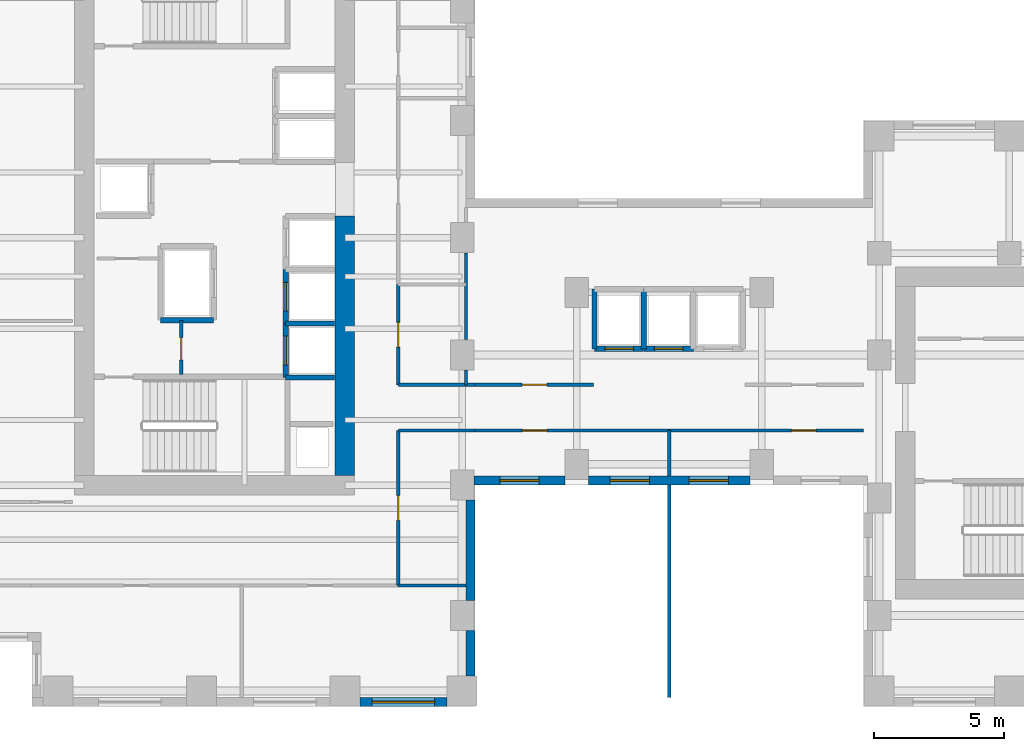
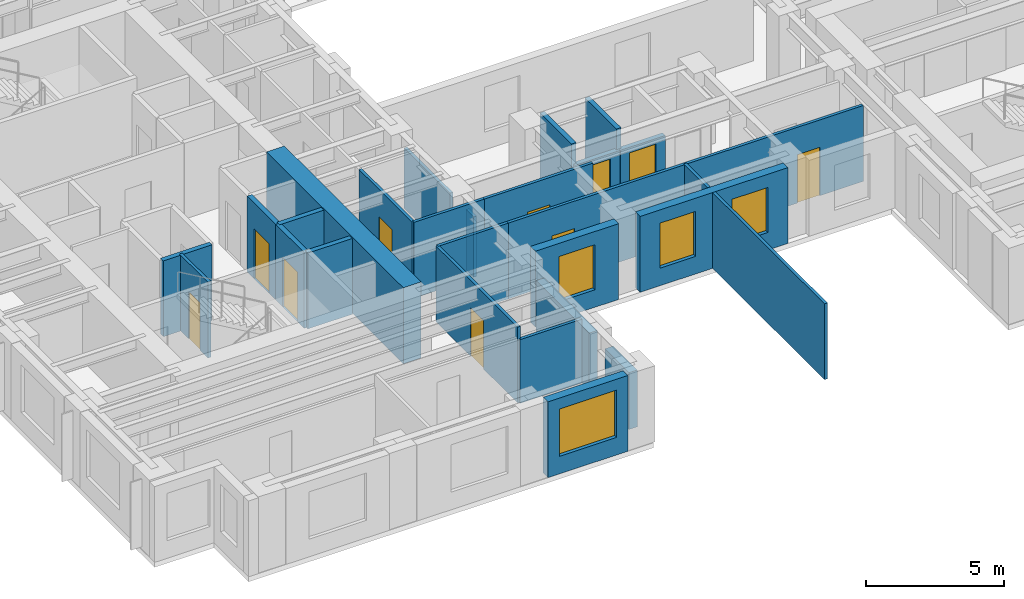
# One storey, part 4 of 11: 28 walls, 10 doors, 4 windows, 14 openings.
"""IFC4 building model written with IfcOpenShell, lengths in metres."""

from ifc_helpers import new_model, si_unit, direction, frame, frame_2d, origin, place, context, subcontext, project, spatial, rectangle, extrude, source, transform, mapped, material, layer, layer_set, type_object, element, fill, save


model = new_model("IFC4")

# Units and contexts
model_context = context("Model", 3, precision=1e-05, world=origin(), true_north=direction((0.0, 1.0)))
body_context = subcontext(model_context, "Body", "Model", "MODEL_VIEW")
ifc_project = project(units=[si_unit("LENGTHUNIT", "METRE"), si_unit("AREAUNIT", "SQUARE_METRE"), si_unit("VOLUMEUNIT", "CUBIC_METRE"), si_unit("PLANEANGLEUNIT", "RADIAN"), si_unit("MASSUNIT", "GRAM", prefix="KILO")], contexts=[model_context])

# Site, building, storey
site_placement = place(None, origin())
site = spatial("IfcSite", under=ifc_project, at=site_placement, CompositionType="ELEMENT")
building_placement = place(site_placement, origin())
building = spatial("IfcBuilding", under=site, at=building_placement, Name="Kharzan Plaza Tower", CompositionType="ELEMENT")
storey_placement = place(building_placement, frame((0.0, 0.0, 127.800048828125)))
storey = spatial("IfcBuildingStorey", under=building, at=storey_placement, Name="L34", CompositionType="ELEMENT", Elevation=127.800048828125)

# Wall, opening, window
ifc_material_1 = material(Name="Concrete C40/50", Category="concrete")
ifc_layer_1 = layer(ifc_material_1, 0.35009765625)
ifc_layer_set_1 = layer_set([ifc_layer_1], Name="Concrete C40/50")
wall_type_1 = type_object("IfcWallType", Name="WL-EXT-MAS-Z2", PredefinedType="SOLIDWALL", material=ifc_layer_set_1)
wall_1_placement = place(storey_placement, frame((15.072998046875, 0.175048828125, 0.0), z_axis=(0.0, 0.0, 1.0), x_axis=(1.0, 0.0, 0.0)))
wall_1 = element("IfcWall", 1, at=wall_1_placement, inside=storey, type_object=wall_type_1, Name="L34 Masonry-Frame Exterior Wall 31", PredefinedType="SOLIDWALL", context=body_context, shape_type="SweptSolid", body=[
    extrude(rectangle(XDim=3.35400390625, YDim=0.35009765625, at=frame_2d((1.677001953125, 0.0))), origin(), (0.0, 0.0, 1.0), 3.364990234375),
])
opening_1_placement = place(wall_1_placement, frame((0.47705078125, 0.0, 0.780029296875)))
opening_1 = element("IfcOpeningElement", 2, at=opening_1_placement, cuts=wall_1, Name="Opening W2", PredefinedType="OPENING", context=body_context, shape_type="SweptSolid", body=[
    extrude(rectangle(XDim=2.39990234375, YDim=2.10009765625, at=frame_2d((1.199951171875, 1.050048828125))), frame((0.0, 0.18505859375, 0.0), z_axis=(0.0, -1.0, 0.0), x_axis=(1.0, 0.0, 0.0)), (0.0, 0.0, 1.0), 0.3701171875),
])
ifc_material_2 = material(Name="Low-E Double Glazing", Category="glass")
window_type_1 = type_object("IfcWindowType", Name="WN-REC-2400x2100", PartitioningType="SINGLE_PANEL", PredefinedType="WINDOW", material=ifc_material_2)
shared_shape_1 = source(origin(), body_context, "Body", "SweptSolid", [
    extrude(rectangle(XDim=2.39990234375, YDim=2.10009765625, at=frame_2d((1.199951171875, 1.050048828125))), frame((0.0, 0.030029296875, 0.0), z_axis=(0.0, -1.0, 0.0), x_axis=(1.0, 0.0, 0.0)), (0.0, 0.0, 1.0), 0.06005859375),
])
window_1_placement = place(opening_1_placement, origin())
window_1 = element("IfcWindow", 3, at=window_1_placement, inside=storey, type_object=window_type_1, Name="L34 Wide Recessed Solar-Control Window 31-1", OverallHeight=2.10009765625, OverallWidth=2.39990234375, PartitioningType="SINGLE_PANEL", PredefinedType="WINDOW", context=body_context, shape_type="MappedRepresentation", body=[
    mapped(shared_shape_1, transform((0.0, 0.0, 0.0), x_axis=(1.0, 0.0, 0.0), y_axis=(0.0, 1.0, 0.0), z_axis=(0.0, 0.0, 1.0))),
])
fill(opening_1, window_1)

wall_2_placement = place(storey_placement, frame((19.447998046875, 8.675048828125, 0.0), z_axis=(0.0, 0.0, 1.0), x_axis=(1.0, 0.0, 0.0)))
wall_2 = element("IfcWall", 4, at=wall_2_placement, inside=storey, type_object=wall_type_1, Name="L34 Masonry-Frame Exterior Wall 34", PredefinedType="SOLIDWALL", context=body_context, shape_type="SweptSolid", body=[
    extrude(rectangle(XDim=3.50390625, YDim=0.35009765625, at=frame_2d((1.751953125, 0.0))), origin(), (0.0, 0.0, 1.0), 3.364990234375),
])
opening_2_placement = place(wall_2_placement, frame((1.001953125, 0.0, 0.780029296875)))
opening_2 = element("IfcOpeningElement", 5, at=opening_2_placement, cuts=wall_2, Name="Opening W5", PredefinedType="OPENING", context=body_context, shape_type="SweptSolid", body=[
    extrude(rectangle(XDim=1.5, YDim=2.0, at=frame_2d((0.75, 1.0))), frame((0.0, 0.18505859375, 0.0), z_axis=(0.0, -1.0, 0.0), x_axis=(1.0, 0.0, 0.0)), (0.0, 0.0, 1.0), 0.3701171875),
])
window_type_2 = type_object("IfcWindowType", Name="WN-SLT-1500x2000", PartitioningType="SINGLE_PANEL", PredefinedType="WINDOW", material=ifc_material_2)
shared_shape_2 = source(origin(), body_context, "Body", "SweptSolid", [
    extrude(rectangle(XDim=1.5, YDim=2.0, at=frame_2d((0.75, 1.0))), frame((0.0, 0.030029296875, 0.0), z_axis=(0.0, -1.0, 0.0), x_axis=(1.0, 0.0, 0.0)), (0.0, 0.0, 1.0), 0.06005859375),
])
window_2_placement = place(opening_2_placement, origin())
window_2 = element("IfcWindow", 6, at=window_2_placement, inside=storey, type_object=window_type_2, Name="L34 Recessed Solar-Control Window 34-1", OverallHeight=2.0, OverallWidth=1.5, PartitioningType="SINGLE_PANEL", PredefinedType="WINDOW", context=body_context, shape_type="MappedRepresentation", body=[
    mapped(shared_shape_2, transform((0.0, 0.0, 0.0), x_axis=(1.0, 0.0, 0.0), y_axis=(0.0, 1.0, 0.0), z_axis=(0.0, 0.0, 1.0))),
])
fill(opening_2, window_2)

# Wall, openings, windows
wall_3_placement = place(storey_placement, frame((23.847900390625, 8.675048828125, 0.0), z_axis=(0.0, 0.0, 1.0), x_axis=(1.0, 0.0, 0.0)))
wall_3 = element("IfcWall", 7, at=wall_3_placement, inside=storey, type_object=wall_type_1, Name="L34 Masonry-Frame Exterior Wall 35", PredefinedType="SOLIDWALL", context=body_context, shape_type="SweptSolid", body=[
    extrude(rectangle(XDim=6.2041015625, YDim=0.35009765625, at=frame_2d((3.10205078125, 0.0))), origin(), (0.0, 0.0, 1.0), 3.364990234375),
])
opening_3_placement = place(wall_3_placement, frame((0.8359375, 0.0, 0.780029296875)))
opening_3 = element("IfcOpeningElement", 8, at=opening_3_placement, cuts=wall_3, Name="Opening W5", PredefinedType="OPENING", context=body_context, shape_type="SweptSolid", body=[
    extrude(rectangle(XDim=1.5, YDim=2.0, at=frame_2d((0.75, 1.0))), frame((0.0, 0.18505859375, 0.0), z_axis=(0.0, -1.0, 0.0), x_axis=(1.0, 0.0, 0.0)), (0.0, 0.0, 1.0), 0.3701171875),
])
opening_4_placement = place(wall_3_placement, frame((3.867919921875, 0.0, 0.780029296875)))
opening_4 = element("IfcOpeningElement", 9, at=opening_4_placement, cuts=wall_3, Name="Opening W5", PredefinedType="OPENING", context=body_context, shape_type="SweptSolid", body=[
    extrude(rectangle(XDim=1.5, YDim=2.0, at=frame_2d((0.75, 1.0))), frame((0.0, 0.18505859375, 0.0), z_axis=(0.0, -1.0, 0.0), x_axis=(1.0, 0.0, 0.0)), (0.0, 0.0, 1.0), 0.3701171875),
])
window_3_placement = place(opening_3_placement, origin())
window_3 = element("IfcWindow", 10, at=window_3_placement, inside=storey, type_object=window_type_2, Name="L34 Recessed Solar-Control Window 35-1", OverallHeight=2.0, OverallWidth=1.5, PartitioningType="SINGLE_PANEL", PredefinedType="WINDOW", context=body_context, shape_type="MappedRepresentation", body=[
    mapped(shared_shape_2, transform((0.0, 0.0, 0.0), x_axis=(1.0, 0.0, 0.0), y_axis=(0.0, 1.0, 0.0), z_axis=(0.0, 0.0, 1.0))),
])
fill(opening_3, window_3)
window_4_placement = place(opening_4_placement, origin())
window_4 = element("IfcWindow", 11, at=window_4_placement, inside=storey, type_object=window_type_2, Name="L34 Recessed Solar-Control Window 35-2", OverallHeight=2.0, OverallWidth=1.5, PartitioningType="SINGLE_PANEL", PredefinedType="WINDOW", context=body_context, shape_type="MappedRepresentation", body=[
    mapped(shared_shape_2, transform((0.0, 0.0, 0.0), x_axis=(1.0, 0.0, 0.0), y_axis=(0.0, 1.0, 0.0), z_axis=(0.0, 0.0, 1.0))),
])
fill(opening_4, window_4)

# Wall, opening, door
ifc_material_3 = material(Name="Fire-Rated Gypsum Board Partition", Category="gypsum")
ifc_layer_2 = layer(ifc_material_3, 0.125)
ifc_layer_set_2 = layer_set([ifc_layer_2], Name="Fire-Rated Gypsum Board Partition")
wall_type_2 = type_object("IfcWallType", Name="WL-INT-PART-125", PredefinedType="PARTITIONING", material=ifc_layer_set_2)
wall_4_placement = place(storey_placement, frame((8.219970703125, 12.75, 0.0), z_axis=(0.0, 0.0, 1.0), x_axis=(0.0, 1.0, 0.0)))
wall_4 = element("IfcWall", 12, at=wall_4_placement, inside=storey, type_object=wall_type_2, Name="L34 Interior Partition CA-K1E", PredefinedType="PARTITIONING", context=body_context, shape_type="SweptSolid", body=[
    extrude(rectangle(XDim=2.070068359375, YDim=0.125, at=frame_2d((1.03515625, 0.0))), origin(), (0.0, 0.0, 1.0), 3.364990234375),
])
opening_5_placement = place(wall_4_placement, frame((0.56005859375, 0.0, 0.0)))
opening_5 = element("IfcOpeningElement", 13, at=opening_5_placement, cuts=wall_4, Name="Opening RD1", PredefinedType="OPENING", context=body_context, shape_type="SweptSolid", body=[
    extrude(rectangle(XDim=0.85009765625, YDim=2.10009765625, at=frame_2d((0.425048828125, 1.050048828125))), frame((0.0, 0.072509765625, 0.0), z_axis=(0.0, -1.0, 0.0), x_axis=(1.0, 0.0, 0.0)), (0.0, 0.0, 1.0), 0.14501953125),
])
ifc_material_4 = material(Name="Powder-Coated Fire-Rated Steel", Category="steel")
door_type_1 = type_object("IfcDoorType", Name="DR-RISER-900", OperationType="NOTDEFINED", PredefinedType="DOOR", material=ifc_material_4)
shared_shape_3 = source(origin(), body_context, "Body", "SweptSolid", [
    extrude(rectangle(XDim=0.85009765625, YDim=2.10009765625, at=frame_2d((0.425048828125, 1.050048828125))), frame((0.0, 0.02490234375, 0.0), z_axis=(0.0, -1.0, 0.0), x_axis=(1.0, 0.0, 0.0)), (0.0, 0.0, 1.0), 0.050048828125),
])
door_1_placement = place(opening_5_placement, origin())
door_1 = element("IfcDoor", 14, at=door_1_placement, inside=storey, type_object=door_type_1, Name="L34 Core Service Store Door", OperationType="SINGLE_SWING_RIGHT", OverallHeight=2.10009765625, OverallWidth=0.85009765625, PredefinedType="DOOR", context=body_context, shape_type="MappedRepresentation", body=[
    mapped(shared_shape_3, transform((0.0, 0.0, 0.0), x_axis=(1.0, 0.0, 0.0), y_axis=(0.0, 1.0, 0.0), z_axis=(0.0, 0.0, 1.0))),
])
fill(opening_5, door_1)

wall_5_placement = place(storey_placement, frame((16.550048828125, 12.35009765625, 0.0), z_axis=(0.0, 0.0, 1.0), x_axis=(0.0, 1.0, 0.0)))
wall_5 = element("IfcWall", 15, at=wall_5_placement, inside=storey, type_object=wall_type_2, Name="L34 Interior Partition SH-AEWN1", PredefinedType="PARTITIONING", context=body_context, shape_type="SweptSolid", body=[
    extrude(rectangle(XDim=3.849853515625, YDim=0.125, at=frame_2d((1.9248046875, 0.0))), origin(), (0.0, 0.0, 1.0), 3.364990234375),
])
opening_6_placement = place(wall_5_placement, frame((1.449951171875, 0.0, 0.0)))
opening_6 = element("IfcOpeningElement", 16, at=opening_6_placement, cuts=wall_5, Name="Opening OD1", PredefinedType="OPENING", context=body_context, shape_type="SweptSolid", body=[
    extrude(rectangle(XDim=0.949951171875, YDim=2.14990234375, at=frame_2d((0.47509765625, 1.074951171875))), frame((0.0, 0.072509765625, 0.0), z_axis=(0.0, -1.0, 0.0), x_axis=(1.0, 0.0, 0.0)), (0.0, 0.0, 1.0), 0.14501953125),
])
ifc_material_5 = material(Name="Acoustic Solid-Core Stained Oak", Category="timber")
door_type_2 = type_object("IfcDoorType", Name="DR-OFF-SINGLE", OperationType="NOTDEFINED", PredefinedType="DOOR", material=ifc_material_5)
shared_shape_4 = source(origin(), body_context, "Body", "SweptSolid", [
    extrude(rectangle(XDim=0.949951171875, YDim=2.14990234375, at=frame_2d((0.47509765625, 1.074951171875))), frame((0.0, 0.02490234375, 0.0), z_axis=(0.0, -1.0, 0.0), x_axis=(1.0, 0.0, 0.0)), (0.0, 0.0, 1.0), 0.050048828125),
])
door_2_placement = place(opening_6_placement, origin())
door_2 = element("IfcDoor", 17, at=door_2_placement, inside=storey, type_object=door_type_2, Name="L34 Slot Collaboration Door", OperationType="SINGLE_SWING_LEFT", OverallHeight=2.14990234375, OverallWidth=0.949951171875, PredefinedType="DOOR", context=body_context, shape_type="MappedRepresentation", body=[
    mapped(shared_shape_4, transform((0.0, 0.0, 0.0), x_axis=(1.0, 0.0, 0.0), y_axis=(0.0, 1.0, 0.0), z_axis=(0.0, 0.0, 1.0))),
])
fill(opening_6, door_2)

wall_6_placement = place(storey_placement, frame((16.550048828125, 4.64990234375, 0.0), z_axis=(0.0, 0.0, 1.0), x_axis=(0.0, 1.0, 0.0)))
wall_6 = element("IfcWall", 18, at=wall_6_placement, inside=storey, type_object=wall_type_2, Name="L34 Interior Partition SH-AEWS", PredefinedType="PARTITIONING", context=body_context, shape_type="SweptSolid", body=[
    extrude(rectangle(XDim=5.9501953125, YDim=0.125, at=frame_2d((2.97509765625, 0.0))), origin(), (0.0, 0.0, 1.0), 3.364990234375),
])
opening_7_placement = place(wall_6_placement, frame((2.5, 0.0, 0.0)))
opening_7 = element("IfcOpeningElement", 19, at=opening_7_placement, cuts=wall_6, Name="Opening OD1", PredefinedType="OPENING", context=body_context, shape_type="SweptSolid", body=[
    extrude(rectangle(XDim=0.949951171875, YDim=2.14990234375, at=frame_2d((0.47509765625, 1.074951171875))), frame((0.0, 0.072509765625, 0.0), z_axis=(0.0, -1.0, 0.0), x_axis=(1.0, 0.0, 0.0)), (0.0, 0.0, 1.0), 0.14501953125),
])
door_3_placement = place(opening_7_placement, origin())
door_3 = element("IfcDoor", 20, at=door_3_placement, inside=storey, type_object=door_type_2, Name="L34 Slot South Office Door", OperationType="SINGLE_SWING_RIGHT", OverallHeight=2.14990234375, OverallWidth=0.949951171875, PredefinedType="DOOR", context=body_context, shape_type="MappedRepresentation", body=[
    mapped(shared_shape_4, transform((0.0, 0.0, 0.0), x_axis=(1.0, 0.0, 0.0), y_axis=(0.0, 1.0, 0.0), z_axis=(0.0, 0.0, 1.0))),
])
fill(opening_7, door_3)

wall_7_placement = place(storey_placement, frame((19.5, 12.35009765625, 0.0), z_axis=(0.0, 0.0, 1.0), x_axis=(1.0, 0.0, 0.0)))
wall_7 = element("IfcWall", 21, at=wall_7_placement, inside=storey, type_object=wall_type_2, Name="L34 Interior Partition SH-SPNW1", PredefinedType="PARTITIONING", context=body_context, shape_type="SweptSolid", body=[
    extrude(rectangle(XDim=4.550048828125, YDim=0.125, at=frame_2d((2.27490234375, 0.0))), origin(), (0.0, 0.0, 1.0), 3.364990234375),
])
opening_8_placement = place(wall_7_placement, frame((1.800048828125, 0.0, 0.0)))
opening_8 = element("IfcOpeningElement", 22, at=opening_8_placement, cuts=wall_7, Name="Opening OD1", PredefinedType="OPENING", context=body_context, shape_type="SweptSolid", body=[
    extrude(rectangle(XDim=0.949951171875, YDim=2.14990234375, at=frame_2d((0.47509765625, 1.074951171875))), frame((0.0, 0.072509765625, 0.0), z_axis=(0.0, -1.0, 0.0), x_axis=(1.0, 0.0, 0.0)), (0.0, 0.0, 1.0), 0.14501953125),
])
door_4_placement = place(opening_8_placement, origin())
door_4 = element("IfcDoor", 23, at=door_4_placement, inside=storey, type_object=door_type_2, Name="L34 North-West Spine Door", OperationType="SINGLE_SWING_LEFT", OverallHeight=2.14990234375, OverallWidth=0.949951171875, PredefinedType="DOOR", context=body_context, shape_type="MappedRepresentation", body=[
    mapped(shared_shape_4, transform((0.0, 0.0, 0.0), x_axis=(1.0, 0.0, 0.0), y_axis=(0.0, 1.0, 0.0), z_axis=(0.0, 0.0, 1.0))),
])
fill(opening_8, door_4)

wall_8_placement = place(storey_placement, frame((19.5, 10.60009765625, 0.0), z_axis=(0.0, 0.0, 1.0), x_axis=(1.0, 0.0, 0.0)))
wall_8 = element("IfcWall", 24, at=wall_8_placement, inside=storey, type_object=wall_type_2, Name="L34 Interior Partition SH-SPS1", PredefinedType="PARTITIONING", context=body_context, shape_type="SweptSolid", body=[
    extrude(rectangle(XDim=7.449951171875, YDim=0.125, at=frame_2d((3.72509765625, 0.0))), origin(), (0.0, 0.0, 1.0), 3.364990234375),
])
opening_9_placement = place(wall_8_placement, frame((1.8173828125, 0.0, 0.0)))
opening_9 = element("IfcOpeningElement", 25, at=opening_9_placement, cuts=wall_8, Name="Opening OD1", PredefinedType="OPENING", context=body_context, shape_type="SweptSolid", body=[
    extrude(rectangle(XDim=0.949951171875, YDim=2.14990234375, at=frame_2d((0.47509765625, 1.074951171875))), frame((0.0, 0.072509765625, 0.0), z_axis=(0.0, -1.0, 0.0), x_axis=(1.0, 0.0, 0.0)), (0.0, 0.0, 1.0), 0.14501953125),
])
door_5_placement = place(opening_9_placement, origin())
door_5 = element("IfcDoor", 26, at=door_5_placement, inside=storey, type_object=door_type_2, Name="L34 South Spine West Door", OperationType="SINGLE_SWING_LEFT", OverallHeight=2.14990234375, OverallWidth=0.949951171875, PredefinedType="DOOR", context=body_context, shape_type="MappedRepresentation", body=[
    mapped(shared_shape_4, transform((0.0, 0.0, 0.0), x_axis=(1.0, 0.0, 0.0), y_axis=(0.0, 1.0, 0.0), z_axis=(0.0, 0.0, 1.0))),
])
fill(opening_9, door_5)

wall_9_placement = place(storey_placement, frame((26.949951171875, 10.60009765625, 0.0), z_axis=(0.0, 0.0, 1.0), x_axis=(1.0, 0.0, 0.0)))
wall_9 = element("IfcWall", 27, at=wall_9_placement, inside=storey, type_object=wall_type_2, Name="L34 Interior Partition SH-SPS2", PredefinedType="PARTITIONING", context=body_context, shape_type="SweptSolid", body=[
    extrude(rectangle(XDim=7.449951171875, YDim=0.125, at=frame_2d((3.72509765625, 0.0))), origin(), (0.0, 0.0, 1.0), 3.364990234375),
])
opening_10_placement = place(wall_9_placement, frame((4.6826171875, 0.0, 0.0)))
opening_10 = element("IfcOpeningElement", 28, at=opening_10_placement, cuts=wall_9, Name="Opening OD1", PredefinedType="OPENING", context=body_context, shape_type="SweptSolid", body=[
    extrude(rectangle(XDim=0.949951171875, YDim=2.14990234375, at=frame_2d((0.47509765625, 1.074951171875))), frame((0.0, 0.072509765625, 0.0), z_axis=(0.0, -1.0, 0.0), x_axis=(1.0, 0.0, 0.0)), (0.0, 0.0, 1.0), 0.14501953125),
])
door_6_placement = place(opening_10_placement, origin())
door_6 = element("IfcDoor", 29, at=door_6_placement, inside=storey, type_object=door_type_2, Name="L34 South Spine East Door", OperationType="SINGLE_SWING_RIGHT", OverallHeight=2.14990234375, OverallWidth=0.949951171875, PredefinedType="DOOR", context=body_context, shape_type="MappedRepresentation", body=[
    mapped(shared_shape_4, transform((0.0, 0.0, 0.0), x_axis=(1.0, 0.0, 0.0), y_axis=(0.0, 1.0, 0.0), z_axis=(0.0, 0.0, 1.0))),
])
fill(opening_10, door_6)

ifc_layer_3 = layer(ifc_material_1, 0.199951171875)
ifc_layer_set_3 = layer_set([ifc_layer_3], Name="Concrete C40/50")
wall_type_3 = type_object("IfcWallType", Name="WL-INT-SHAFT-200", PredefinedType="PARTITIONING", material=ifc_layer_set_3)
wall_10_placement = place(storey_placement, frame((12.22998046875, 12.6298828125, 0.0), z_axis=(0.0, 0.0, 1.0), x_axis=(0.0, 1.0, 0.0)))
wall_10 = element("IfcWall", 30, at=wall_10_placement, inside=storey, type_object=wall_type_3, Name="L34 Interior Partition SHF-PL-H1-W", PredefinedType="PARTITIONING", context=body_context, shape_type="SweptSolid", body=[
    extrude(rectangle(XDim=2.070068359375, YDim=0.199951171875, at=frame_2d((1.03515625, 0.0))), origin(), (0.0, 0.0, 1.0), 3.364990234375),
])
opening_11_placement = place(wall_10_placement, frame((0.485107421875, 0.0, 0.0)))
opening_11 = element("IfcOpeningElement", 31, at=opening_11_placement, cuts=wall_10, Name="Opening LD", PredefinedType="OPENING", context=body_context, shape_type="SweptSolid", body=[
    extrude(rectangle(XDim=1.10009765625, YDim=2.199951171875, at=frame_2d((0.550048828125, 1.10009765625))), frame((0.0, 0.10986328125, 0.0), z_axis=(0.0, -1.0, 0.0), x_axis=(1.0, 0.0, 0.0)), (0.0, 0.0, 1.0), 0.219970703125),
])
ifc_material_6 = material(Name="Brushed Stainless Steel", Category="steel")
door_type_3 = type_object("IfcDoorType", Name="DR-LIFT-SLIDE", OperationType="SLIDING_TO_LEFT", PredefinedType="DOOR", material=ifc_material_6)
shared_shape_5 = source(origin(), body_context, "Body", "SweptSolid", [
    extrude(rectangle(XDim=1.10009765625, YDim=2.199951171875, at=frame_2d((0.550048828125, 1.10009765625))), frame((0.0, 0.02490234375, 0.0), z_axis=(0.0, -1.0, 0.0), x_axis=(1.0, 0.0, 0.0)), (0.0, 0.0, 1.0), 0.050048828125),
])
door_7_placement = place(opening_11_placement, origin())
door_7 = element("IfcDoor", 32, at=door_7_placement, inside=storey, type_object=door_type_3, Name="L34 High-Rise Passenger Lift PL-H1 Sliding Landing Door", OperationType="SLIDING_TO_LEFT", OverallHeight=2.199951171875, OverallWidth=1.10009765625, PredefinedType="DOOR", context=body_context, shape_type="MappedRepresentation", body=[
    mapped(shared_shape_5, transform((0.0, 0.0, 0.0), x_axis=(1.0, 0.0, 0.0), y_axis=(0.0, 1.0, 0.0), z_axis=(0.0, 0.0, 1.0))),
])
fill(opening_11, door_7)

wall_11_placement = place(storey_placement, frame((12.22998046875, 14.699951171875, 0.0), z_axis=(0.0, 0.0, 1.0), x_axis=(0.0, 1.0, 0.0)))
wall_11 = element("IfcWall", 33, at=wall_11_placement, inside=storey, type_object=wall_type_3, Name="L34 Interior Partition SHF-PL-H2-W", PredefinedType="PARTITIONING", context=body_context, shape_type="SweptSolid", body=[
    extrude(rectangle(XDim=2.070068359375, YDim=0.199951171875, at=frame_2d((1.03515625, 0.0))), origin(), (0.0, 0.0, 1.0), 3.364990234375),
])
opening_12_placement = place(wall_11_placement, frame((0.485107421875, 0.0, 0.0)))
opening_12 = element("IfcOpeningElement", 34, at=opening_12_placement, cuts=wall_11, Name="Opening LD", PredefinedType="OPENING", context=body_context, shape_type="SweptSolid", body=[
    extrude(rectangle(XDim=1.10009765625, YDim=2.199951171875, at=frame_2d((0.550048828125, 1.10009765625))), frame((0.0, 0.10986328125, 0.0), z_axis=(0.0, -1.0, 0.0), x_axis=(1.0, 0.0, 0.0)), (0.0, 0.0, 1.0), 0.219970703125),
])
door_8_placement = place(opening_12_placement, origin())
door_8 = element("IfcDoor", 35, at=door_8_placement, inside=storey, type_object=door_type_3, Name="L34 High-Rise Passenger Lift PL-H2 Sliding Landing Door", OperationType="SLIDING_TO_LEFT", OverallHeight=2.199951171875, OverallWidth=1.10009765625, PredefinedType="DOOR", context=body_context, shape_type="MappedRepresentation", body=[
    mapped(shared_shape_5, transform((0.0, 0.0, 0.0), x_axis=(1.0, 0.0, 0.0), y_axis=(0.0, 1.0, 0.0), z_axis=(0.0, 0.0, 1.0))),
])
fill(opening_12, door_8)

wall_12_placement = place(storey_placement, frame((24.080078125, 13.72998046875, 0.0), z_axis=(0.0, 0.0, 1.0), x_axis=(1.0, 0.0, 0.0)))
wall_12 = element("IfcWall", 36, at=wall_12_placement, inside=storey, type_object=wall_type_3, Name="L34 Interior Partition SHF-PL-M1-S", PredefinedType="PARTITIONING", context=body_context, shape_type="SweptSolid", body=[
    extrude(rectangle(XDim=1.889892578125, YDim=0.199951171875, at=frame_2d((0.94482421875, 0.0))), origin(), (0.0, 0.0, 1.0), 2.446044921875),
])
opening_13_placement = place(wall_12_placement, frame((0.39501953125, 0.0, 0.0)))
opening_13 = element("IfcOpeningElement", 37, at=opening_13_placement, cuts=wall_12, Name="Opening LD", PredefinedType="OPENING", context=body_context, shape_type="SweptSolid", body=[
    extrude(rectangle(XDim=1.10009765625, YDim=2.199951171875, at=frame_2d((0.550048828125, 1.10009765625))), frame((0.0, 0.10986328125, 0.0), z_axis=(0.0, -1.0, 0.0), x_axis=(1.0, 0.0, 0.0)), (0.0, 0.0, 1.0), 0.219970703125),
])
door_9_placement = place(opening_13_placement, origin())
door_9 = element("IfcDoor", 38, at=door_9_placement, inside=storey, type_object=door_type_3, Name="L34 Mid-Rise Passenger Lift PL-M1 Sliding Landing Door", OperationType="SLIDING_TO_LEFT", OverallHeight=2.199951171875, OverallWidth=1.10009765625, PredefinedType="DOOR", context=body_context, shape_type="MappedRepresentation", body=[
    mapped(shared_shape_5, transform((0.0, 0.0, 0.0), x_axis=(1.0, 0.0, 0.0), y_axis=(0.0, 1.0, 0.0), z_axis=(0.0, 0.0, 1.0))),
])
fill(opening_13, door_9)

wall_13_placement = place(storey_placement, frame((25.97998046875, 13.72998046875, 0.0), z_axis=(0.0, 0.0, 1.0), x_axis=(1.0, 0.0, 0.0)))
wall_13 = element("IfcWall", 39, at=wall_13_placement, inside=storey, type_object=wall_type_3, Name="L34 Interior Partition SHF-PL-M2-S", PredefinedType="PARTITIONING", context=body_context, shape_type="SweptSolid", body=[
    extrude(rectangle(XDim=1.89013671875, YDim=0.199951171875, at=frame_2d((0.945068359375, 0.0))), origin(), (0.0, 0.0, 1.0), 2.446044921875),
])
opening_14_placement = place(wall_13_placement, frame((0.39501953125, 0.0, 0.0)))
opening_14 = element("IfcOpeningElement", 40, at=opening_14_placement, cuts=wall_13, Name="Opening LD", PredefinedType="OPENING", context=body_context, shape_type="SweptSolid", body=[
    extrude(rectangle(XDim=1.10009765625, YDim=2.199951171875, at=frame_2d((0.550048828125, 1.10009765625))), frame((0.0, 0.10986328125, 0.0), z_axis=(0.0, -1.0, 0.0), x_axis=(1.0, 0.0, 0.0)), (0.0, 0.0, 1.0), 0.219970703125),
])
door_10_placement = place(opening_14_placement, origin())
door_10 = element("IfcDoor", 41, at=door_10_placement, inside=storey, type_object=door_type_3, Name="L34 Mid-Rise Passenger Lift PL-M2 Sliding Landing Door", OperationType="SLIDING_TO_LEFT", OverallHeight=2.199951171875, OverallWidth=1.10009765625, PredefinedType="DOOR", context=body_context, shape_type="MappedRepresentation", body=[
    mapped(shared_shape_5, transform((0.0, 0.0, 0.0), x_axis=(1.0, 0.0, 0.0), y_axis=(0.0, 1.0, 0.0), z_axis=(0.0, 0.0, 1.0))),
])
fill(opening_14, door_10)

# Walls
shared_shape_6 = source(origin(), body_context, "Body", "SweptSolid", [
    extrude(rectangle(XDim=2.949951171875, YDim=0.125, at=frame_2d((1.47509765625, 0.0))), origin(), (0.0, 0.0, 1.0), 3.364990234375),
])
for number, where, z_axis, x_axis, name in (
    (42, (16.550048828125, 12.35009765625, 0.0), (0.0, 0.0, 1.0), (1.0, 0.0, 0.0), "L34 Interior Partition SH-SPNW0"),
    (43, (16.550048828125, 10.60009765625, 0.0), (0.0, 0.0, 1.0), (1.0, 0.0, 0.0), "L34 Interior Partition SH-SPS0"),
):
    element("IfcWall", number, at=place(storey_placement, frame(where, z_axis=z_axis, x_axis=x_axis)), inside=storey, type_object=wall_type_2, Name=name, PredefinedType="PARTITIONING", context=body_context, shape_type="MappedRepresentation", body=[
        mapped(shared_shape_6, transform((0.0, 0.0, 0.0), x_axis=(1.0, 0.0, 0.0), y_axis=(0.0, 1.0, 0.0), z_axis=(0.0, 0.0, 1.0))),
    ])
shared_shape_7 = source(origin(), body_context, "Body", "SweptSolid", [
    extrude(rectangle(XDim=2.597900390625, YDim=0.125, at=frame_2d((1.298828125, 0.0))), origin(), (0.0, 0.0, 1.0), 2.827880859375),
])
wall_14_placement = place(storey_placement, frame((16.550048828125, 4.64990234375, 0.0), z_axis=(0.0, 0.0, 1.0), x_axis=(1.0, 0.0, 0.0)))
element("IfcWall", 44, at=wall_14_placement, inside=storey, type_object=wall_type_2, Name="L34 Interior Partition SH-SSE-2", PredefinedType="PARTITIONING", context=body_context, shape_type="MappedRepresentation", body=[
    mapped(shared_shape_7, transform((0.0, 0.0, 0.0), x_axis=(1.0, 0.0, 0.0), y_axis=(0.0, 1.0, 0.0), z_axis=(0.0, 0.0, 1.0))),
])
shared_shape_8 = source(origin(), body_context, "Body", "SweptSolid", [
    extrude(rectangle(XDim=2.2900390625, YDim=0.199951171875, at=frame_2d((1.14501953125, 0.0))), origin(), (0.0, 0.0, 1.0), 3.364990234375),
])
for number, where, z_axis, x_axis, name in (
    (45, (25.969970703125, 13.72998046875, 0.0), (0.0, 0.0, 1.0), (0.0, 1.0, 0.0), "L34 Interior Partition SHF-PL-M1-E"),
    (46, (24.080078125, 13.72998046875, 0.0), (0.0, 0.0, 1.0), (0.0, 1.0, 0.0), "L34 Interior Partition SHF-PL-M1-W"),
):
    element("IfcWall", number, at=place(storey_placement, frame(where, z_axis=z_axis, x_axis=x_axis)), inside=storey, type_object=wall_type_3, Name=name, PredefinedType="PARTITIONING", context=body_context, shape_type="MappedRepresentation", body=[
        mapped(shared_shape_8, transform((0.0, 0.0, 0.0), x_axis=(1.0, 0.0, 0.0), y_axis=(0.0, 1.0, 0.0), z_axis=(0.0, 0.0, 1.0))),
    ])
shared_shape_9 = source(origin(), body_context, "Body", "SweptSolid", [
    extrude(rectangle(XDim=2.0400390625, YDim=0.199951171875, at=frame_2d((1.02001953125, 0.0))), origin(), (0.0, 0.0, 1.0), 3.364990234375),
])
wall_15_placement = place(storey_placement, frame((7.429931640625, 14.830078125, 0.0), z_axis=(0.0, 0.0, 1.0), x_axis=(1.0, 0.0, 0.0)))
element("IfcWall", 47, at=wall_15_placement, inside=storey, type_object=wall_type_3, Name="L34 Interior Partition SHF-SVL-1-S", PredefinedType="PARTITIONING", context=body_context, shape_type="MappedRepresentation", body=[
    mapped(shared_shape_9, transform((0.0, 0.0, 0.0), x_axis=(1.0, 0.0, 0.0), y_axis=(0.0, 1.0, 0.0), z_axis=(0.0, 0.0, 1.0))),
])
shared_shape_10 = source(origin(), body_context, "Body", "SweptSolid", [
    extrude(rectangle(XDim=8.14794921875, YDim=0.125, at=frame_2d((4.073974609375, 0.0))), origin(), (0.0, 0.0, 1.0), 3.364990234375),
])
wall_16_placement = place(storey_placement, frame((26.949951171875, 0.35009765625, 0.0), z_axis=(0.0, 0.0, 1.0), x_axis=(0.0, 1.0, 0.0)))
element("IfcWall", 48, at=wall_16_placement, inside=storey, type_object=wall_type_2, Name="L34 Interior Partition SH-SPSV1-S1", PredefinedType="PARTITIONING", context=body_context, shape_type="MappedRepresentation", body=[
    mapped(shared_shape_10, transform((0.0, 0.0, 0.0), x_axis=(1.0, 0.0, 0.0), y_axis=(0.0, 1.0, 0.0), z_axis=(0.0, 0.0, 1.0))),
])
shared_shape_11 = source(origin(), body_context, "Body", "SweptSolid", [
    extrude(rectangle(XDim=1.748046875, YDim=0.125, at=frame_2d((0.8740234375, 0.0))), origin(), (0.0, 0.0, 1.0), 3.364990234375),
])
wall_17_placement = place(storey_placement, frame((26.949951171875, 8.85205078125, 0.0), z_axis=(0.0, 0.0, 1.0), x_axis=(0.0, 1.0, 0.0)))
element("IfcWall", 49, at=wall_17_placement, inside=storey, type_object=wall_type_2, Name="L34 Interior Partition SH-SPSV1-S2", PredefinedType="PARTITIONING", context=body_context, shape_type="MappedRepresentation", body=[
    mapped(shared_shape_11, transform((0.0, 0.0, 0.0), x_axis=(1.0, 0.0, 0.0), y_axis=(0.0, 1.0, 0.0), z_axis=(0.0, 0.0, 1.0))),
])
shared_shape_12 = source(origin(), body_context, "Body", "SweptSolid", [
    extrude(rectangle(XDim=1.75390625, YDim=0.35009765625, at=frame_2d((0.876953125, 0.0))), origin(), (0.0, 0.0, 1.0), 2.51904296875),
])
wall_18_placement = place(storey_placement, frame((19.324951171875, 1.173095703125, 0.0), z_axis=(0.0, 0.0, 1.0), x_axis=(0.0, 1.0, 0.0)))
element("IfcWall", 50, at=wall_18_placement, inside=storey, type_object=wall_type_1, Name="L34 Masonry-Frame Exterior Wall 32", PredefinedType="SOLIDWALL", context=body_context, shape_type="MappedRepresentation", body=[
    mapped(shared_shape_12, transform((0.0, 0.0, 0.0), x_axis=(1.0, 0.0, 0.0), y_axis=(0.0, 1.0, 0.0), z_axis=(0.0, 0.0, 1.0))),
])
shared_shape_13 = source(origin(), body_context, "Body", "SweptSolid", [
    extrude(rectangle(XDim=0.559814453125, YDim=0.125, at=frame_2d((0.27978515625, 0.0))), origin(), (0.0, 0.0, 1.0), 2.677001953125),
])
wall_19_placement = place(storey_placement, frame((19.14990234375, 12.35009765625, 0.0), z_axis=(0.0, 0.0, 1.0), x_axis=(0.0, 1.0, 0.0)))
element("IfcWall", 51, at=wall_19_placement, inside=storey, type_object=wall_type_2, Name="L34 Interior Partition SH-AEN-DIV-S1", PredefinedType="PARTITIONING", context=body_context, shape_type="MappedRepresentation", body=[
    mapped(shared_shape_13, transform((0.0, 0.0, 0.0), x_axis=(1.0, 0.0, 0.0), y_axis=(0.0, 1.0, 0.0), z_axis=(0.0, 0.0, 1.0))),
])
shared_shape_14 = source(origin(), body_context, "Body", "SweptSolid", [
    extrude(rectangle(XDim=3.31982421875, YDim=0.125, at=frame_2d((1.659912109375, 0.0))), origin(), (0.0, 0.0, 1.0), 2.677001953125),
])
wall_20_placement = place(storey_placement, frame((19.14990234375, 14.090087890625, 0.0), z_axis=(0.0, 0.0, 1.0), x_axis=(0.0, 1.0, 0.0)))
element("IfcWall", 52, at=wall_20_placement, inside=storey, type_object=wall_type_2, Name="L34 Interior Partition SH-AEN-DIV-S2", PredefinedType="PARTITIONING", context=body_context, shape_type="MappedRepresentation", body=[
    mapped(shared_shape_14, transform((0.0, 0.0, 0.0), x_axis=(1.0, 0.0, 0.0), y_axis=(0.0, 1.0, 0.0), z_axis=(0.0, 0.0, 1.0))),
])
shared_shape_15 = source(origin(), body_context, "Body", "SweptSolid", [
    extrude(rectangle(XDim=1.864990234375, YDim=0.199951171875, at=frame_2d((0.9326171875, 0.0))), origin(), (0.0, 0.0, 1.0), 3.364990234375),
])
for number, where, z_axis, x_axis, name in (
    (53, (12.22998046875, 14.699951171875, 0.0), (0.0, 0.0, 1.0), (1.0, 0.0, 0.0), "L34 Interior Partition SHF-PL-H1-N"),
    (54, (12.22998046875, 12.6298828125, 0.0), (0.0, 0.0, 1.0), (1.0, 0.0, 0.0), "L34 Interior Partition SHF-PL-H1-S"),
):
    element("IfcWall", number, at=place(storey_placement, frame(where, z_axis=z_axis, x_axis=x_axis)), inside=storey, type_object=wall_type_3, Name=name, PredefinedType="PARTITIONING", context=body_context, shape_type="MappedRepresentation", body=[
        mapped(shared_shape_15, transform((0.0, 0.0, 0.0), x_axis=(1.0, 0.0, 0.0), y_axis=(0.0, 1.0, 0.0), z_axis=(0.0, 0.0, 1.0))),
    ])
ifc_material_7 = material(Name="Concrete C60/75", Category="concrete")
ifc_layer_4 = layer(ifc_material_7, 0.75)
ifc_layer_set_4 = layer_set([ifc_layer_4], Name="Concrete C60/75")
wall_type_4 = type_object("IfcWallType", Name="WL-CORE-750", PredefinedType="SHEAR", material=ifc_layer_set_4)
shared_shape_16 = source(origin(), body_context, "Body", "SweptSolid", [
    extrude(rectangle(XDim=9.945068359375, YDim=0.75, at=frame_2d((4.97265625, 0.0))), origin(), (0.0, 0.0, 1.0), 3.3798828125),
])
wall_21_placement = place(storey_placement, frame((14.5, 8.875, 0.0), z_axis=(0.0, 0.0, 1.0), x_axis=(0.0, 1.0, 0.0)))
element("IfcWall", 55, at=wall_21_placement, inside=storey, type_object=wall_type_4, Name="L34 CORE-A east shear pier 1", PredefinedType="SHEAR", context=body_context, shape_type="MappedRepresentation", body=[
    mapped(shared_shape_16, transform((0.0, 0.0, 0.0), x_axis=(1.0, 0.0, 0.0), y_axis=(0.0, 1.0, 0.0), z_axis=(0.0, 0.0, 1.0))),
])
shared_shape_17 = source(origin(), body_context, "Body", "SweptSolid", [
    extrude(rectangle(XDim=3.85400390625, YDim=0.35009765625, at=frame_2d((1.927001953125, 0.0))), origin(), (0.0, 0.0, 1.0), 2.51904296875),
])
wall_22_placement = place(storey_placement, frame((19.324951171875, 4.072998046875, 0.0), z_axis=(0.0, 0.0, 1.0), x_axis=(0.0, 1.0, 0.0)))
element("IfcWall", 56, at=wall_22_placement, inside=storey, type_object=wall_type_1, Name="L34 Masonry-Frame Exterior Wall 33", PredefinedType="SOLIDWALL", context=body_context, shape_type="MappedRepresentation", body=[
    mapped(shared_shape_17, transform((0.0, 0.0, 0.0), x_axis=(1.0, 0.0, 0.0), y_axis=(0.0, 1.0, 0.0), z_axis=(0.0, 0.0, 1.0))),
])

save(model, "model.ifc")
